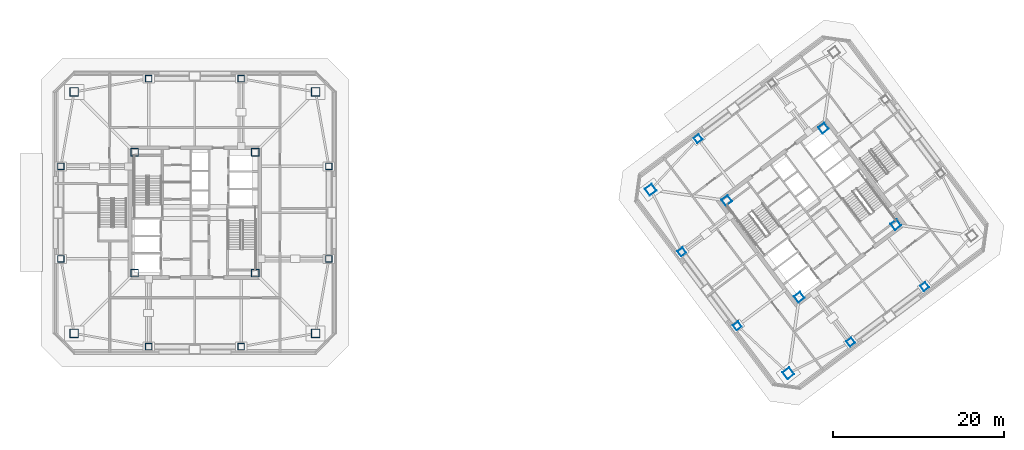
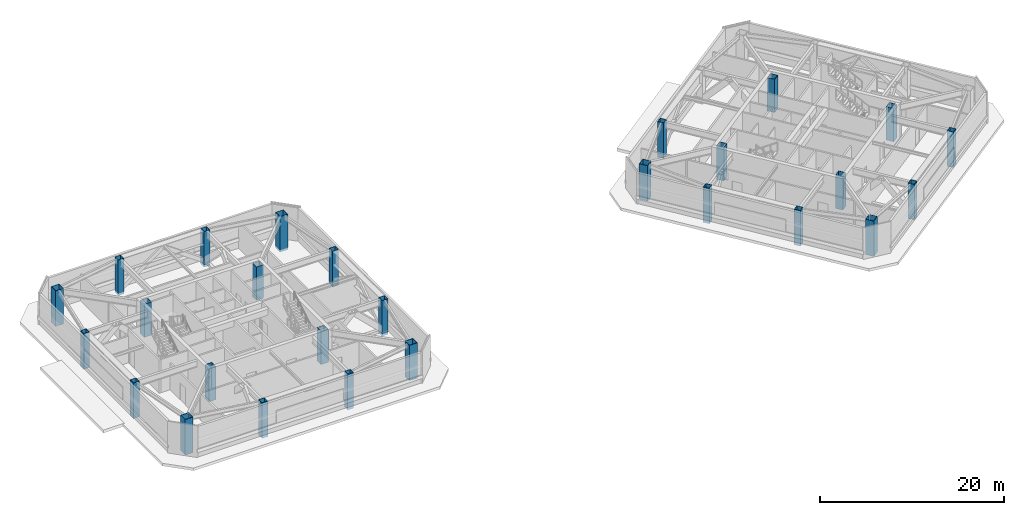
# One storey, part 1 of 15: 27 columns.
"""IFC4 building model written with IfcOpenShell, lengths in metres."""

from ifc_helpers import new_model, si_unit, direction, frame, origin, origin_2d, place, context, subcontext, project, spatial, hollow_rectangle, extrude, material, material_profile, profile_set, type_object, element, save


model = new_model("IFC4")

# Units and contexts
model_context = context("Model", 3, precision=1e-05, world=origin(), true_north=direction((0.0, 1.0)))
body_context = subcontext(model_context, "Body", "Model", "MODEL_VIEW")
ifc_project = project(units=[si_unit("LENGTHUNIT", "METRE"), si_unit("AREAUNIT", "SQUARE_METRE"), si_unit("VOLUMEUNIT", "CUBIC_METRE"), si_unit("PLANEANGLEUNIT", "RADIAN"), si_unit("MASSUNIT", "GRAM", prefix="KILO")], contexts=[model_context])

# Site, building, storey
site_placement = place(None, origin())
site = spatial("IfcSite", under=ifc_project, at=site_placement, CompositionType="ELEMENT")
building_placement = place(site_placement, origin())
building = spatial("IfcBuilding", under=site, at=building_placement, Name="Tashvorn Skyway Center", CompositionType="ELEMENT")
storey_placement = place(building_placement, frame((0.0, 0.0, 199.60009765625)))
storey = spatial("IfcBuildingStorey", under=building, at=storey_placement, Name="L54", CompositionType="ELEMENT", Elevation=199.60009765625)

# Columns
ifc_material = material(Name="Steel ASTM A572 Grade 50", Category="steel")
ifc_material_profile_1 = material_profile(ifc_material, hollow_rectangle(XDim=1.0, YDim=1.0, WallThickness=0.0400390625, at=origin_2d()), Name="BOX1000x1000x40")
ifc_profile_set_1 = profile_set([ifc_material_profile_1], Name="Steel ASTM A572 Grade 50")
column_type_1 = type_object("IfcColumnType", Name="COL-BOX1000x1000x40", PredefinedType="COLUMN", material=ifc_profile_set_1)
for number, where, z_axis, x_axis, name in (
    (1, (27.89990234375, 17.89990234375, -0.295166015625), (0.0, 0.0, 1.0), (1.0, 0.0, 0.0), "Tower 1 L54 Mega-Column MC-SW"),
    (2, (56.10009765625, 17.89990234375, -0.295166015625), (0.0, 0.0, 1.0), (1.0, 0.0, 0.0), "Tower 1 L54 Mega-Column MC-SE"),
    (3, (56.10009765625, 46.10009765625, -0.295166015625), (0.0, 0.0, 1.0), (1.0, 0.0, 0.0), "Tower 1 L54 Mega-Column MC-NE"),
    (4, (27.89990234375, 46.10009765625, -0.295166015625), (0.0, 0.0, 1.0), (1.0, 0.0, 0.0), "Tower 1 L54 Mega-Column MC-NW"),
    (5, (111.320068359375, 13.239990234375, -0.295166015625), (0.0, 0.0, 1.0), (0.799999996291, 0.600000004945, 0.0), "Tower 2 L54 Mega-Column MC-SW"),
    (6, (95.239990234375, 34.679931640625, -0.295166015625), (0.0, 0.0, 1.0), (0.799999996291, 0.600000004945, 0.0), "Tower 2 L54 Mega-Column MC-NW"),
):
    element("IfcColumn", number, at=place(storey_placement, frame(where, z_axis=z_axis, x_axis=x_axis)), inside=storey, type_object=column_type_1, Name=name, PredefinedType="COLUMN", context=body_context, shape_type="SweptSolid", body=[
        extrude(hollow_rectangle(XDim=1.0, YDim=1.0, WallThickness=0.0400390625, at=origin_2d()), origin(), (0.0, 0.0, 1.0), 4.715087890625),
    ])
ifc_material_profile_2 = material_profile(ifc_material, hollow_rectangle(XDim=0.75, YDim=0.75, WallThickness=0.031982421875, at=origin_2d()), Name="BOX750x750x32")
ifc_profile_set_2 = profile_set([ifc_material_profile_2], Name="Steel ASTM A572 Grade 50")
column_type_2 = type_object("IfcColumnType", Name="COL-BOX750x750x32", PredefinedType="COLUMN", material=ifc_profile_set_2)
for number, where, z_axis, x_axis, name in (
    (7, (36.60009765625, 16.35009765625, -0.295166015625), (0.0, 0.0, 1.0), (1.0, 0.0, 0.0), "Tower 1 L54 Perimeter Column FC-S1"),
    (8, (47.39990234375, 16.35009765625, -0.295166015625), (0.0, 0.0, 1.0), (1.0, 0.0, 0.0), "Tower 1 L54 Perimeter Column FC-S2"),
    (9, (57.64990234375, 26.60009765625, -0.295166015625), (0.0, 0.0, 1.0), (1.0, 0.0, 0.0), "Tower 1 L54 Perimeter Column FC-E1"),
    (10, (57.64990234375, 37.39990234375, -0.295166015625), (0.0, 0.0, 1.0), (1.0, 0.0, 0.0), "Tower 1 L54 Perimeter Column FC-E2"),
    (11, (47.39990234375, 47.64990234375, -0.295166015625), (0.0, 0.0, 1.0), (1.0, 0.0, 0.0), "Tower 1 L54 Perimeter Column FC-N1"),
    (12, (36.60009765625, 47.64990234375, -0.295166015625), (0.0, 0.0, 1.0), (1.0, 0.0, 0.0), "Tower 1 L54 Perimeter Column FC-N2"),
    (13, (26.35009765625, 37.39990234375, -0.295166015625), (0.0, 0.0, 1.0), (1.0, 0.0, 0.0), "Tower 1 L54 Perimeter Column FC-W1"),
    (14, (26.35009765625, 26.60009765625, -0.295166015625), (0.0, 0.0, 1.0), (1.0, 0.0, 0.0), "Tower 1 L54 Perimeter Column FC-W2"),
    (15, (118.590087890625, 16.8798828125, -0.295166015625), (0.0, 0.0, 1.0), (0.799999996291, 0.600000004945, 0.0), "Tower 2 L54 Perimeter Column FC-S1"),
    (16, (127.22998046875, 23.360107421875, -0.295166015625), (0.0, 0.0, 1.0), (0.799999996291, 0.600000004945, 0.0), "Tower 2 L54 Perimeter Column FC-S2"),
    (17, (100.77001953125, 40.639892578125, -0.295166015625), (0.0, 0.0, 1.0), (0.799999996291, 0.600000004945, 0.0), "Tower 2 L54 Perimeter Column FC-N2"),
    (18, (98.8798828125, 27.409912109375, -0.295166015625), (0.0, 0.0, 1.0), (0.799999996291, 0.600000004945, 0.0), "Tower 2 L54 Perimeter Column FC-W1"),
    (19, (105.360107421875, 18.77001953125, -0.295166015625), (0.0, 0.0, 1.0), (0.799999996291, 0.600000004945, 0.0), "Tower 2 L54 Perimeter Column FC-W2"),
):
    element("IfcColumn", number, at=place(storey_placement, frame(where, z_axis=z_axis, x_axis=x_axis)), inside=storey, type_object=column_type_2, Name=name, PredefinedType="COLUMN", context=body_context, shape_type="SweptSolid", body=[
        extrude(hollow_rectangle(XDim=0.75, YDim=0.75, WallThickness=0.031982421875, at=origin_2d()), origin(), (0.0, 0.0, 1.0), 4.715087890625),
    ])
ifc_material_profile_3 = material_profile(ifc_material, hollow_rectangle(XDim=0.89990234375, YDim=0.89990234375, WallThickness=0.0400390625, at=origin_2d()), Name="BOX900x900x40")
ifc_profile_set_3 = profile_set([ifc_material_profile_3], Name="Steel ASTM A572 Grade 50")
column_type_3 = type_object("IfcColumnType", Name="COL-BOX900x900x40", PredefinedType="COLUMN", material=ifc_profile_set_3)
for number, where, z_axis, x_axis, name in (
    (20, (34.949951171875, 24.949951171875, 0.0), (0.0, 0.0, 1.0), (1.0, 0.0, 0.0), "Tower 1 L54 Core Corner Column CC-SW"),
    (21, (49.050048828125, 24.949951171875, 0.0), (0.0, 0.0, 1.0), (1.0, 0.0, 0.0), "Tower 1 L54 Core Corner Column CC-SE"),
    (22, (49.050048828125, 39.050048828125, 0.0), (0.0, 0.0, 1.0), (1.0, 0.0, 0.0), "Tower 1 L54 Core Corner Column CC-NE"),
    (23, (34.949951171875, 39.050048828125, 0.0), (0.0, 0.0, 1.0), (1.0, 0.0, 0.0), "Tower 1 L54 Core Corner Column CC-NW"),
    (24, (112.590087890625, 22.1298828125, 0.0), (0.0, 0.0, 1.0), (0.799999996291, 0.600000004945, 0.0), "Tower 2 L54 Core Corner Column CC-SW"),
    (25, (123.8701171875, 30.590087890625, 0.0), (0.0, 0.0, 1.0), (0.799999996291, 0.600000004945, 0.0), "Tower 2 L54 Core Corner Column CC-SE"),
    (26, (115.409912109375, 41.8701171875, 0.0), (0.0, 0.0, 1.0), (0.799999996291, 0.600000004945, 0.0), "Tower 2 L54 Core Corner Column CC-NE"),
    (27, (104.1298828125, 33.409912109375, 0.0), (0.0, 0.0, 1.0), (0.799999996291, 0.600000004945, 0.0), "Tower 2 L54 Core Corner Column CC-NW"),
):
    element("IfcColumn", number, at=place(storey_placement, frame(where, z_axis=z_axis, x_axis=x_axis)), inside=storey, type_object=column_type_3, Name=name, PredefinedType="COLUMN", context=body_context, shape_type="SweptSolid", body=[
        extrude(hollow_rectangle(XDim=0.89990234375, YDim=0.89990234375, WallThickness=0.0400390625, at=origin_2d()), origin(), (0.0, 0.0, 1.0), 4.419921875),
    ])

save(model, "model.ifc")
